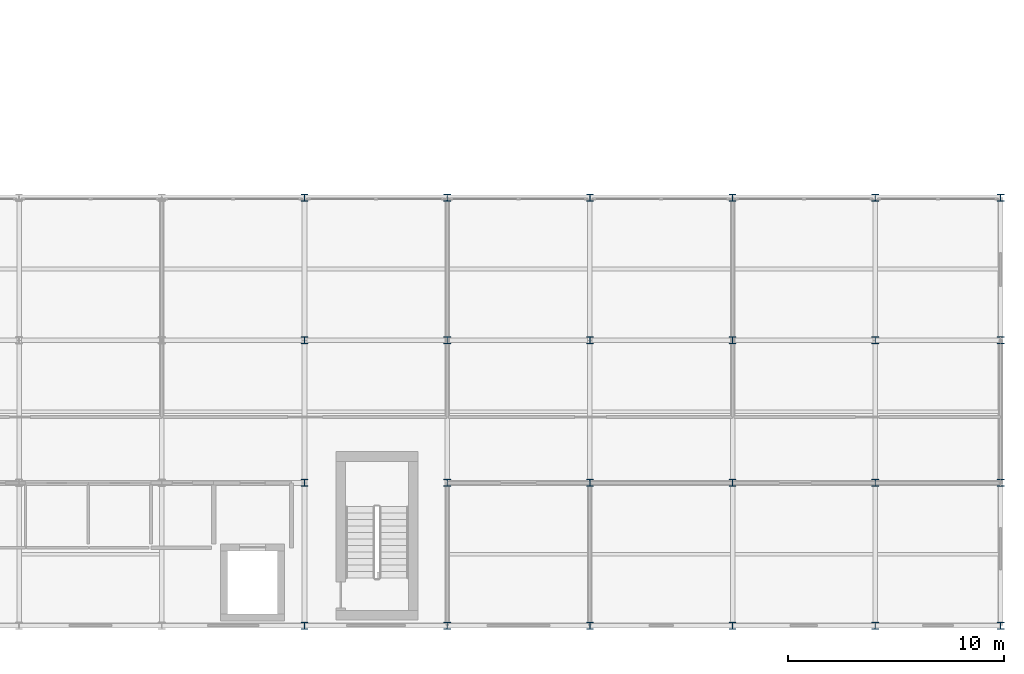
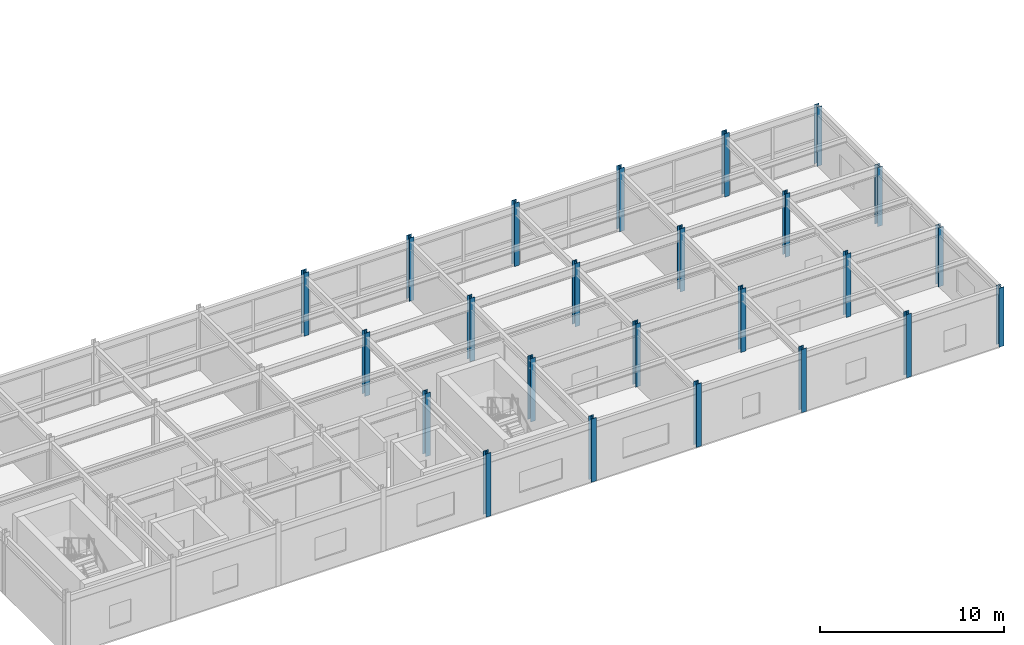
# One storey, part 16 of 134: 24 columns.
"""IFC4 building model written with IfcOpenShell, lengths in metres."""

import ifcopenshell
import ifcopenshell.guid

model = None  # the IFC model being written
_history = None  # IfcOwnerHistory: only IFC2X3 demands one
_inside = {}  # id of a spatial element -> (the spatial element, [elements in it])
_under = {}  # id of a project, library or spatial element -> (it, [spatial elements below it])
_declared = {}  # id of a project -> (the project, [libraries it declares])
_typed = {}  # id of a type object -> (the type object, [elements of that type])
_made_of = {}  # id of a material, layer set ... -> (it, [elements and type objects made of it])


def new_model(schema):
    """Start an empty IFC model of exactly this schema.

    Asked for "IFC4X3", IfcOpenShell would pick the latest addendum, in which some entities
    have other attributes; the version numbers below select the first issue.
    IFC2X3 requires an IfcOwnerHistory on every rooted entity: one is made here for all.
    """
    global model, _history
    if schema == "IFC4X3":
        model = ifcopenshell.file(schema_version=(4, 3, 0, 0))
    else:
        model = ifcopenshell.file(schema=schema)
    _inside.clear()
    _under.clear()
    _declared.clear()
    _typed.clear()
    _made_of.clear()
    _history = None
    if model.schema == "IFC2X3":
        org = make("IfcOrganization", Name="unknown")
        user = make(
            "IfcPersonAndOrganization",
            ThePerson=make("IfcPerson", FamilyName="unknown"),
            TheOrganization=org,
        )
        app = make(
            "IfcApplication",
            ApplicationDeveloper=org,
            Version="unknown",
            ApplicationFullName="unknown",
            ApplicationIdentifier="unknown",
        )
        _history = make(
            "IfcOwnerHistory",
            OwningUser=user,
            OwningApplication=app,
            ChangeAction="ADDED",
            CreationDate=0,
        )
    return model


def make(cls, **values):
    """One entity of the class cls with the attributes given. An attribute that is None is left unset."""
    return model.create_entity(
        cls, **{name: value for name, value in values.items() if value is not None}
    )


def rooted(cls, **values):
    """An entity with a GlobalId (a new one), such as an element, a storey or a relation."""
    return make(cls, GlobalId=ifcopenshell.guid.new(), OwnerHistory=_history, **values)


def si_unit(unit_type, name, prefix=None):
    """IfcSIUnit, for example si_unit("LENGTHUNIT", "METRE", prefix="MILLI")."""
    return make("IfcSIUnit", UnitType=unit_type, Prefix=prefix, Name=name)


def assignment(units):
    """IfcUnitAssignment: the units of a project."""
    return None if units is None else make("IfcUnitAssignment", Units=units)


def point(xyz):
    """IfcCartesianPoint."""
    return None if xyz is None else make("IfcCartesianPoint", Coordinates=xyz)


def direction(xyz):
    """IfcDirection."""
    return None if xyz is None else make("IfcDirection", DirectionRatios=xyz)


def frame(location, z_axis=None, x_axis=None):
    """IfcAxis2Placement3D, a coordinate frame: its origin and axes. An axis left out is left unset."""
    return make(
        "IfcAxis2Placement3D",
        Location=point(location),
        Axis=direction(z_axis),
        RefDirection=direction(x_axis),
    )


def frame_2d(location, x_axis=None):
    """IfcAxis2Placement2D, a coordinate frame in the plane: its origin and x axis."""
    return make(
        "IfcAxis2Placement2D", Location=point(location), RefDirection=direction(x_axis)
    )


def origin():
    """The frame at (0, 0, 0) with its axes left unset."""
    return frame((0.0, 0.0, 0.0))


def origin_2d():
    """The frame at (0, 0) in the plane with its x axis left unset."""
    return frame_2d((0.0, 0.0))


def place(relative_to, where):
    """IfcLocalPlacement: puts the frame where relative to a parent placement (None: the world)."""
    return make(
        "IfcLocalPlacement", PlacementRelTo=relative_to, RelativePlacement=where
    )


def context(
    kind, dimensions, precision=None, world=None, true_north=None, identifier=None
):
    """IfcGeometricRepresentationContext, for example the 3D "Model" context."""
    return make(
        "IfcGeometricRepresentationContext",
        ContextIdentifier=identifier,
        ContextType=kind,
        CoordinateSpaceDimension=dimensions,
        Precision=precision,
        WorldCoordinateSystem=world,
        TrueNorth=true_north,
    )


def subcontext(parent, identifier, kind, view, scale=None):
    """IfcGeometricRepresentationSubContext, for example "Body" below "Model"."""
    return make(
        "IfcGeometricRepresentationSubContext",
        ContextIdentifier=identifier,
        ContextType=kind,
        ParentContext=parent,
        TargetScale=scale,
        TargetView=view,
    )


def project(units=None, contexts=None):
    """IfcProject with its units and contexts."""
    return rooted(
        "IfcProject",
        Name="project",
        RepresentationContexts=contexts,
        UnitsInContext=assignment(units),
    )


def spatial(cls, under=None, at=None, **own):
    """A site, building, storey or space (cls), placed at a placement, below another one or the project."""
    s = rooted(cls, ObjectPlacement=at, **own)
    if under is not None:
        _under.setdefault(under.id(), (under, []))[1].append(s)
    return s


def profile(cls, at=None, kind="AREA", **sizes):
    """A parametric profile (cls). Its sizes go by their IFC names, for example OverallWidth=200.0."""
    return make(cls, ProfileType=kind, Position=at, **sizes)


def i_section(**sizes):
    """IfcIShapeProfileDef."""
    return profile("IfcIShapeProfileDef", **sizes)


def extrude(swept, where, along, depth):
    """IfcExtrudedAreaSolid: the profile swept, set in the frame where, extruded along a direction by depth."""
    return make(
        "IfcExtrudedAreaSolid",
        SweptArea=swept,
        Position=where,
        ExtrudedDirection=direction(along),
        Depth=depth,
    )


def shape(context_of_items, identifier, shape_type, items):
    """IfcShapeRepresentation: the items that make up one representation, for example the "Body"."""
    return make(
        "IfcShapeRepresentation",
        ContextOfItems=context_of_items,
        RepresentationIdentifier=identifier,
        RepresentationType=shape_type,
        Items=items,
    )


def material(Name=None, Category=None):
    """IfcMaterial."""
    return make("IfcMaterial", Name=Name, Category=Category)


def material_profile(
    of_material, cross_section, Name=None, Category=None, Priority=None
):
    """IfcMaterialProfile: a cross section and its material."""
    return make(
        "IfcMaterialProfile",
        Name=Name,
        Material=of_material,
        Profile=cross_section,
        Priority=Priority,
        Category=Category,
    )


def profile_set(profiles, Name=None, composite=None):
    """IfcMaterialProfileSet."""
    return make(
        "IfcMaterialProfileSet",
        Name=Name,
        MaterialProfiles=profiles,
        CompositeProfile=composite,
    )


def made_of(thing, what):
    """Note that an element or type object is made of a material, layer set ...; save() writes the relation."""
    if what is not None:
        _made_of.setdefault(what.id(), (what, []))[1].append(thing)
    return thing


def type_object(cls, material=None, **own):
    """A type object (cls), such as IfcWallType, which elements share."""
    return made_of(rooted(cls, **own), material)


def element(
    cls,
    number,
    at=None,
    inside=None,
    cuts=None,
    type_object=None,
    material=None,
    context=None,
    identifier="Body",
    shape_type=None,
    held_by="IfcProductDefinitionShape",
    body=None,
    shapes=None,
    **own,
):
    """One element of the class cls, such as IfcWall. Its Tag is "e" and its number.

    at: its placement. inside: the storey or other place that contains it. cuts: it is an
    opening in that element (IfcRelVoidsElement). A single representation is given by context,
    identifier, shape_type and body (its items); several are given by shapes. held_by: the class
    of the entity that holds the representations. save() writes the other relations.
    """
    e = rooted(cls, Tag="e%d" % number, ObjectPlacement=at, **own)
    if body is not None:
        shapes = [shape(context, identifier, shape_type, body)]
    if shapes is not None:
        e.Representation = make(held_by, Representations=shapes)
    if inside is not None:
        _inside.setdefault(inside.id(), (inside, []))[1].append(e)
    if cuts is not None:
        rooted(
            "IfcRelVoidsElement", RelatingBuildingElement=cuts, RelatedOpeningElement=e
        )
    if type_object is not None:
        _typed.setdefault(type_object.id(), (type_object, []))[1].append(e)
    return made_of(e, material)


def aggregate(whole, parts):
    """IfcRelAggregates: a whole, such as a stair, and the parts it consists of."""
    return rooted("IfcRelAggregates", RelatingObject=whole, RelatedObjects=parts)


def save(model, path):
    """Write the relations noted so far, then the file.

    IfcRelAggregates (storeys below a building ...), IfcRelContainedInSpatialStructure (elements
    in a storey), IfcRelDefinesByType, IfcRelAssociatesMaterial and IfcRelDeclares: one each for
    every whole, place, type object, material and project.
    """
    for whole, parts in _under.values():
        aggregate(whole, parts)
    for where, things in _inside.values():
        rooted(
            "IfcRelContainedInSpatialStructure",
            RelatedElements=things,
            RelatingStructure=where,
        )
    for kind, things in _typed.values():
        rooted("IfcRelDefinesByType", RelatedObjects=things, RelatingType=kind)
    for what, things in _made_of.values():
        rooted("IfcRelAssociatesMaterial", RelatedObjects=things, RelatingMaterial=what)
    for by, libraries in _declared.values():
        rooted("IfcRelDeclares", RelatingContext=by, RelatedDefinitions=libraries)
    model.write(path)


model = new_model("IFC4")

# Units and contexts
model_context = context("Model", 3, precision=1e-05, world=origin(), true_north=direction((0.0, 1.0)))
body_context = subcontext(model_context, "Body", "Model", "MODEL_VIEW")
ifc_project = project(units=[si_unit("LENGTHUNIT", "METRE"), si_unit("AREAUNIT", "SQUARE_METRE"), si_unit("VOLUMEUNIT", "CUBIC_METRE"), si_unit("PLANEANGLEUNIT", "RADIAN"), si_unit("MASSUNIT", "GRAM", prefix="KILO")], contexts=[model_context])

# Site, building, storey
site_placement = place(None, origin())
site = spatial("IfcSite", under=ifc_project, at=site_placement, CompositionType="ELEMENT")
building_placement = place(site_placement, origin())
building = spatial("IfcBuilding", under=site, at=building_placement, Name="Karori Crest Natural Sciences Institute", CompositionType="ELEMENT")
storey_placement = place(building_placement, frame((0.0, 0.0, 21.699951171875)))
storey = spatial("IfcBuildingStorey", under=building, at=storey_placement, Name="L05", CompositionType="ELEMENT", Elevation=21.699951171875)

# Columns
ifc_material = material(Name="Structural steel AS/NZS 3679.1 Grade 350", Category="steel")
ifc_material_profile_1 = material_profile(ifc_material, i_section(OverallWidth=0.31103515625, OverallDepth=0.326904296875, WebThickness=0.015625, FlangeThickness=0.02490234375, FilletRadius=0.01708984375, at=origin_2d()), Name="310UC158")
ifc_profile_set_1 = profile_set([ifc_material_profile_1], Name="Structural steel AS/NZS 3679.1 Grade 350")
column_type_1 = type_object("IfcColumnType", Name="CT-04", PredefinedType="COLUMN", material=ifc_profile_set_1)
for number, where, z_axis, x_axis, name in (
    (1, (130.0, 0.800048828125, 0.0), (0.0, 0.0, 1.0), (1.0, 0.0, 0.0), "Column C-1215"),
    (2, (130.0, 20.60009765625, 0.0), (0.0, 0.0, 1.0), (1.0, 0.0, 0.0), "Column C-1251"),
    (3, (136.60009765625, 0.800048828125, 0.0), (0.0, 0.0, 1.0), (1.0, 0.0, 0.0), "Column C-1263"),
    (4, (136.60009765625, 20.60009765625, 0.0), (0.0, 0.0, 1.0), (1.0, 0.0, 0.0), "Column C-1299"),
    (5, (143.199951171875, 0.800048828125, 0.0), (0.0, 0.0, 1.0), (1.0, 0.0, 0.0), "Column C-1311"),
    (6, (143.199951171875, 20.60009765625, 0.0), (0.0, 0.0, 1.0), (1.0, 0.0, 0.0), "Column C-1344"),
    (7, (149.800048828125, 0.800048828125, 0.0), (0.0, 0.0, 1.0), (1.0, 0.0, 0.0), "Column C-1355"),
    (8, (149.800048828125, 20.60009765625, 0.0), (0.0, 0.0, 1.0), (1.0, 0.0, 0.0), "Column C-1388"),
    (9, (156.39990234375, 0.800048828125, 0.0), (0.0, 0.0, 1.0), (1.0, 0.0, 0.0), "Column C-1399"),
    (10, (156.39990234375, 20.60009765625, 0.0), (0.0, 0.0, 1.0), (1.0, 0.0, 0.0), "Column C-1426"),
):
    element("IfcColumn", number, at=place(storey_placement, frame(where, z_axis=z_axis, x_axis=x_axis)), inside=storey, type_object=column_type_1, Name=name, PredefinedType="COLUMN", context=body_context, shape_type="SweptSolid", body=[
        extrude(i_section(OverallWidth=0.31103515625, OverallDepth=0.326904296875, WebThickness=0.015625, FlangeThickness=0.02490234375, FilletRadius=0.01708984375, at=origin_2d()), origin(), (0.0, 0.0, 1.0), 4.199951171875),
    ])
for number, where, z_axis, x_axis, name in (
    (11, (162.199951171875, 0.800048828125, 0.0), (0.0, 0.0, 1.0), (1.0, 0.0, 0.0), "Column C-1435"),
    (12, (162.199951171875, 7.39990234375, 0.0), (0.0, 0.0, 1.0), (1.0, 0.0, 0.0), "Column C-1442"),
    (13, (162.199951171875, 14.0, 0.0), (0.0, 0.0, 1.0), (1.0, 0.0, 0.0), "Column C-1449"),
    (14, (162.199951171875, 20.60009765625, 0.0), (0.0, 0.0, 1.0), (1.0, 0.0, 0.0), "Column C-1456"),
):
    element("IfcColumn", number, at=place(storey_placement, frame(where, z_axis=z_axis, x_axis=x_axis)), inside=storey, type_object=column_type_1, Name=name, PredefinedType="COLUMN", context=body_context, shape_type="SweptSolid", body=[
        extrude(i_section(OverallWidth=0.31103515625, OverallDepth=0.326904296875, WebThickness=0.015625, FlangeThickness=0.02490234375, FilletRadius=0.01708984375, at=origin_2d()), origin(), (0.0, 0.0, 1.0), 3.920166015625),
    ])
ifc_material_profile_2 = material_profile(ifc_material, i_section(OverallWidth=0.31103515625, OverallDepth=0.326904296875, WebThickness=0.015625, FlangeThickness=0.02490234375, FilletRadius=0.01708984375, at=origin_2d()), Name="310UC158")
ifc_profile_set_2 = profile_set([ifc_material_profile_2], Name="Structural steel AS/NZS 3679.1 Grade 350")
column_type_2 = type_object("IfcColumnType", Name="CT-04-IL", PredefinedType="COLUMN", material=ifc_profile_set_2)
for number, where, z_axis, x_axis, name in (
    (15, (130.0, 7.39990234375, 0.0), (0.0, 0.0, 1.0), (1.0, 0.0, 0.0), "Column C-1227"),
    (16, (130.0, 14.0, 0.0), (0.0, 0.0, 1.0), (1.0, 0.0, 0.0), "Column C-1239"),
    (17, (136.60009765625, 7.39990234375, 0.0), (0.0, 0.0, 1.0), (1.0, 0.0, 0.0), "Column C-1275"),
    (18, (136.60009765625, 14.0, 0.0), (0.0, 0.0, 1.0), (1.0, 0.0, 0.0), "Column C-1287"),
    (19, (143.199951171875, 7.39990234375, 0.0), (0.0, 0.0, 1.0), (1.0, 0.0, 0.0), "Column C-1322"),
    (20, (143.199951171875, 14.0, 0.0), (0.0, 0.0, 1.0), (1.0, 0.0, 0.0), "Column C-1333"),
    (21, (149.800048828125, 7.39990234375, 0.0), (0.0, 0.0, 1.0), (1.0, 0.0, 0.0), "Column C-1366"),
    (22, (149.800048828125, 14.0, 0.0), (0.0, 0.0, 1.0), (1.0, 0.0, 0.0), "Column C-1377"),
    (23, (156.39990234375, 7.39990234375, 0.0), (0.0, 0.0, 1.0), (1.0, 0.0, 0.0), "Column C-1408"),
    (24, (156.39990234375, 14.0, 0.0), (0.0, 0.0, 1.0), (1.0, 0.0, 0.0), "Column C-1417"),
):
    element("IfcColumn", number, at=place(storey_placement, frame(where, z_axis=z_axis, x_axis=x_axis)), inside=storey, type_object=column_type_2, Name=name, PredefinedType="COLUMN", context=body_context, shape_type="SweptSolid", body=[
        extrude(i_section(OverallWidth=0.31103515625, OverallDepth=0.326904296875, WebThickness=0.015625, FlangeThickness=0.02490234375, FilletRadius=0.01708984375, at=origin_2d()), origin(), (0.0, 0.0, 1.0), 4.199951171875),
    ])

save(model, "model.ifc")
